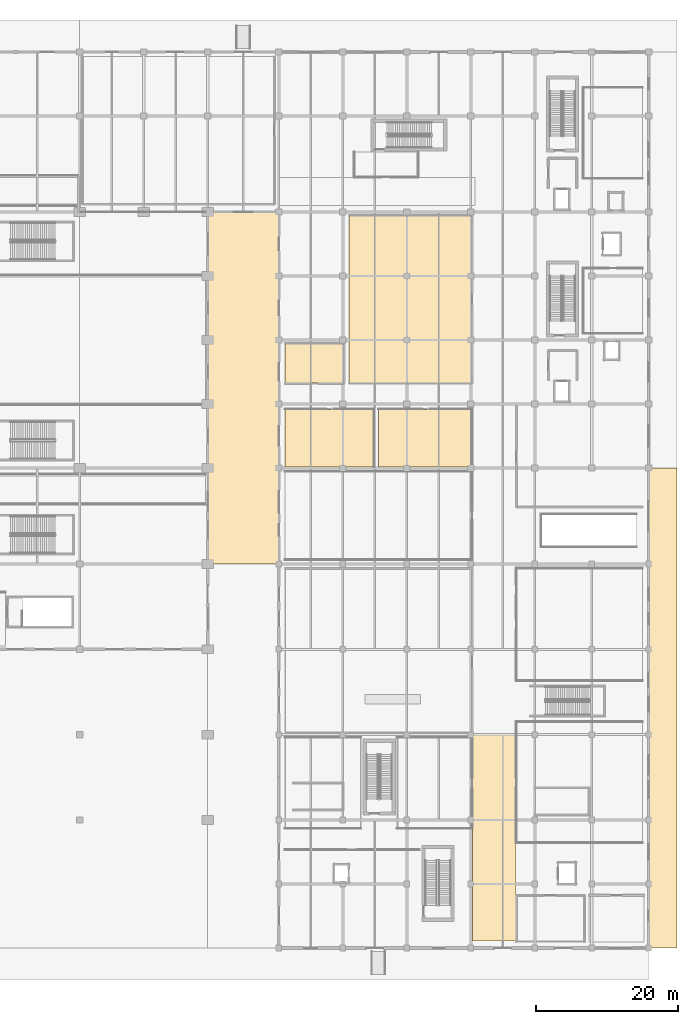
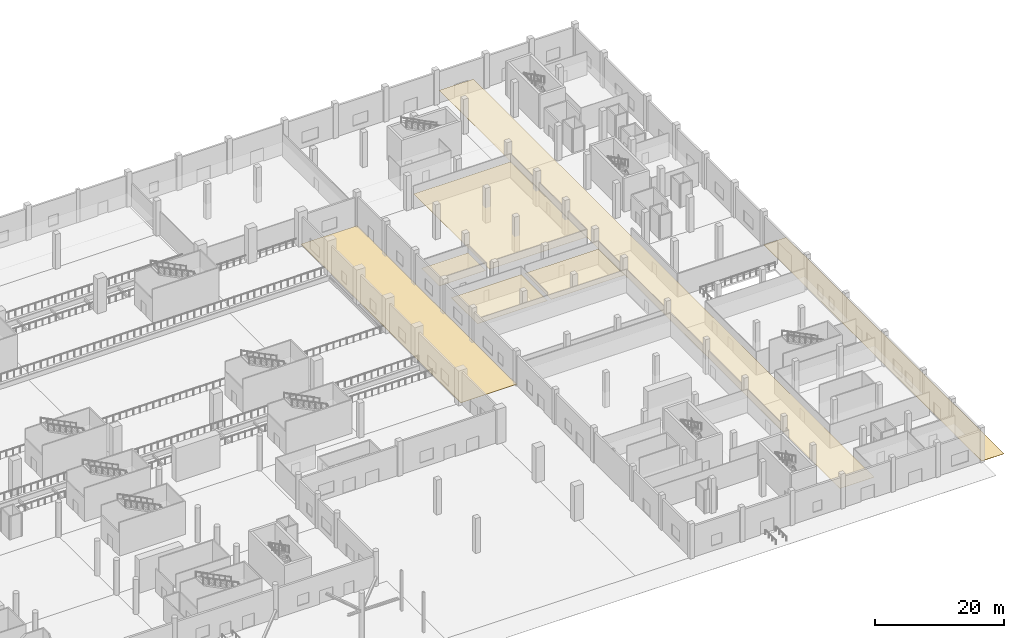
# One storey, part 60 of 65: 7 coverings.
"""IFC4 building model written with IfcOpenShell, lengths in metres."""

from ifc_helpers import new_model, si_unit, direction, frame, origin, place, context, subcontext, project, spatial, polyline, outline, extrude, material, layer, layer_set, type_object, element, save


model = new_model("IFC4")

# Units and contexts
model_context = context("Model", 3, precision=1e-05, world=origin(), true_north=direction((0.0, 1.0)))
body_context = subcontext(model_context, "Body", "Model", "MODEL_VIEW")
ifc_project = project(units=[si_unit("LENGTHUNIT", "METRE"), si_unit("AREAUNIT", "SQUARE_METRE"), si_unit("VOLUMEUNIT", "CUBIC_METRE"), si_unit("PLANEANGLEUNIT", "RADIAN"), si_unit("MASSUNIT", "GRAM", prefix="KILO")], contexts=[model_context])

# Site, building, storey
site_placement = place(None, origin())
site = spatial("IfcSite", under=ifc_project, at=site_placement, CompositionType="ELEMENT")
building_placement = place(site_placement, origin())
building = spatial("IfcBuilding", under=site, at=building_placement, Name="Chuanluo Vaults Station", CompositionType="ELEMENT")
storey_placement = place(building_placement, origin())
storey = spatial("IfcBuildingStorey", under=building, at=storey_placement, Name="L00", CompositionType="ELEMENT", Elevation=0.0)

# Coverings
ifc_material_1 = material(Name="Acoustic mineral-fibre tile")
ifc_layer_1 = layer(ifc_material_1, 0.02490234375)
ifc_layer_set_1 = layer_set([ifc_layer_1], Name="Acoustic mineral-fibre tile")
covering_type_1 = type_object("IfcCoveringType", Name="COV-CEIL-TILE", PredefinedType="CEILING", material=ifc_layer_set_1)
covering_1_placement = place(storey_placement, frame((0.0, 0.0, 2.85009765625)))
element("IfcCovering", 1, at=covering_1_placement, inside=storey, type_object=covering_type_1, Name="L00-13 suspended acoustic ceiling", PredefinedType="CEILING", context=body_context, shape_type="SweptSolid", body=[
    extrude(outline(polyline([(163.239990234375, 1.0), (169.360107421875, 1.0), (169.360107421875, 125.199951171875), (163.239990234375, 125.199951171875), (163.239990234375, 1.0)])), origin(), (0.0, 0.0, 1.0), 0.02490234375),
])
covering_2_placement = place(storey_placement, frame((0.0, 0.0, 2.85009765625)))
element("IfcCovering", 2, at=covering_2_placement, inside=storey, type_object=covering_type_1, Name="L00-22 suspended acoustic ceiling", PredefinedType="CEILING", context=body_context, shape_type="SweptSolid", body=[
    extrude(outline(polyline([(136.840087890625, 67.639892578125), (149.360107421875, 67.639892578125), (149.360107421875, 75.760009765625), (136.840087890625, 75.760009765625), (136.840087890625, 67.639892578125)])), origin(), (0.0, 0.0, 1.0), 0.02490234375),
])
covering_3_placement = place(storey_placement, frame((0.0, 0.0, 2.85009765625)))
element("IfcCovering", 3, at=covering_3_placement, inside=storey, type_object=covering_type_1, Name="L00-23 suspended acoustic ceiling", PredefinedType="CEILING", context=body_context, shape_type="SweptSolid", body=[
    extrude(outline(polyline([(150.0400390625, 67.639892578125), (163.159912109375, 67.639892578125), (163.159912109375, 75.760009765625), (150.0400390625, 75.760009765625), (150.0400390625, 67.639892578125)])), origin(), (0.0, 0.0, 1.0), 0.02490234375),
])
covering_4_placement = place(storey_placement, frame((0.0, 0.0, 2.85009765625)))
element("IfcCovering", 4, at=covering_4_placement, inside=storey, type_object=covering_type_1, Name="L00-24 suspended acoustic ceiling", PredefinedType="CEILING", context=body_context, shape_type="SweptSolid", body=[
    extrude(outline(polyline([(136.840087890625, 79.43994140625), (145.159912109375, 79.43994140625), (145.159912109375, 84.9599609375), (136.840087890625, 84.9599609375), (136.840087890625, 79.43994140625)])), origin(), (0.0, 0.0, 1.0), 0.02490234375),
])
covering_5_placement = place(storey_placement, frame((0.0, 0.0, 2.85009765625)))
element("IfcCovering", 5, at=covering_5_placement, inside=storey, type_object=covering_type_1, Name="L00-26 suspended acoustic ceiling", PredefinedType="CEILING", context=body_context, shape_type="SweptSolid", body=[
    extrude(outline(polyline([(145.840087890625, 79.43994140625), (163.159912109375, 79.43994140625), (163.159912109375, 102.9599609375), (145.840087890625, 102.9599609375), (145.840087890625, 79.43994140625)])), origin(), (0.0, 0.0, 1.0), 0.02490234375),
])
ifc_material_2 = material(Name="Granite stone flooring", Category="masonry")
ifc_layer_2 = layer(ifc_material_2, 0.034912109375)
ifc_layer_set_2 = layer_set([ifc_layer_2], Name="Granite stone flooring")
covering_type_2 = type_object("IfcCoveringType", Name="COV-FLOR-GRAN", PredefinedType="FLOORING", material=ifc_layer_set_2)
covering_6_placement = place(storey_placement, frame((0.0, 0.0, -0.0400390625)))
element("IfcCovering", 6, at=covering_6_placement, inside=storey, type_object=covering_type_2, Name="Exterior plaza granite paving PASS2", PredefinedType="FLOORING", context=body_context, shape_type="SweptSolid", body=[
    extrude(outline(polyline([(126.0, 54.0), (136.0, 54.0), (136.0, 103.5), (126.0, 103.5), (126.0, 54.0)])), origin(), (0.0, 0.0, 1.0), 0.0400390625),
])
covering_7_placement = place(storey_placement, frame((0.0, 0.0, -0.0400390625)))
element("IfcCovering", 7, at=covering_7_placement, inside=storey, type_object=covering_type_2, Name="Exterior plaza granite paving EAST1", PredefinedType="FLOORING", context=body_context, shape_type="SweptSolid", body=[
    extrude(outline(polyline([(188.0, 0.0), (192.0, 0.0), (192.0, 67.5), (188.0, 67.5), (188.0, 0.0)])), origin(), (0.0, 0.0, 1.0), 0.0400390625),
])

save(model, "model.ifc")
